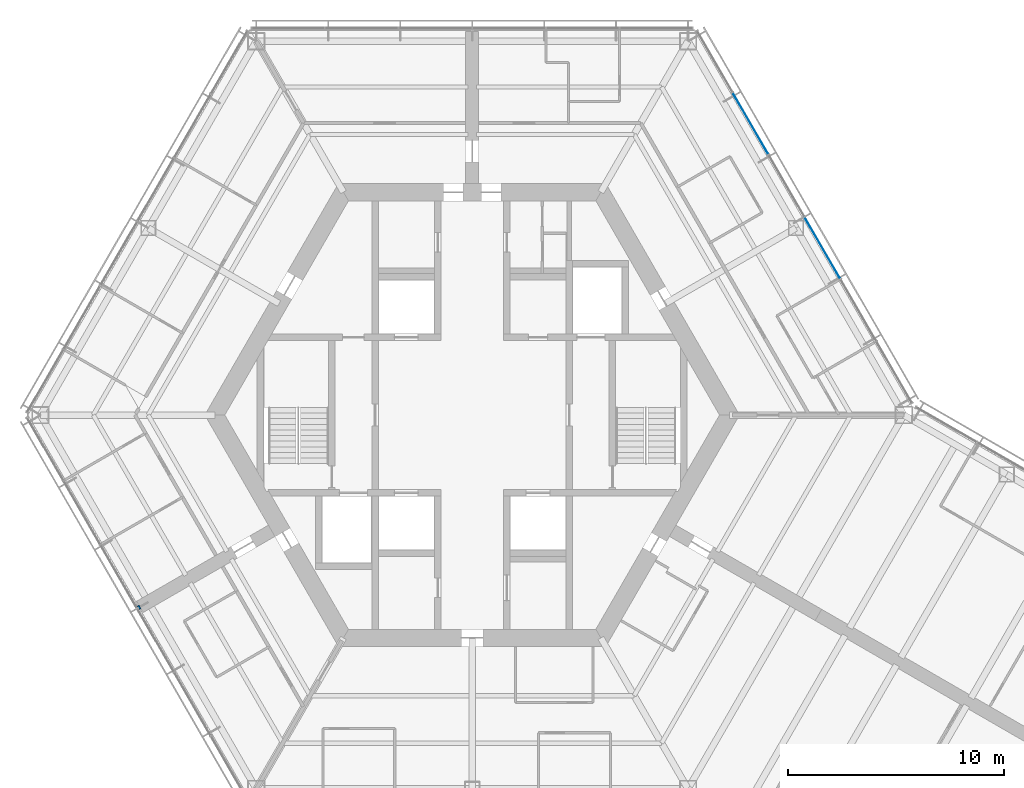
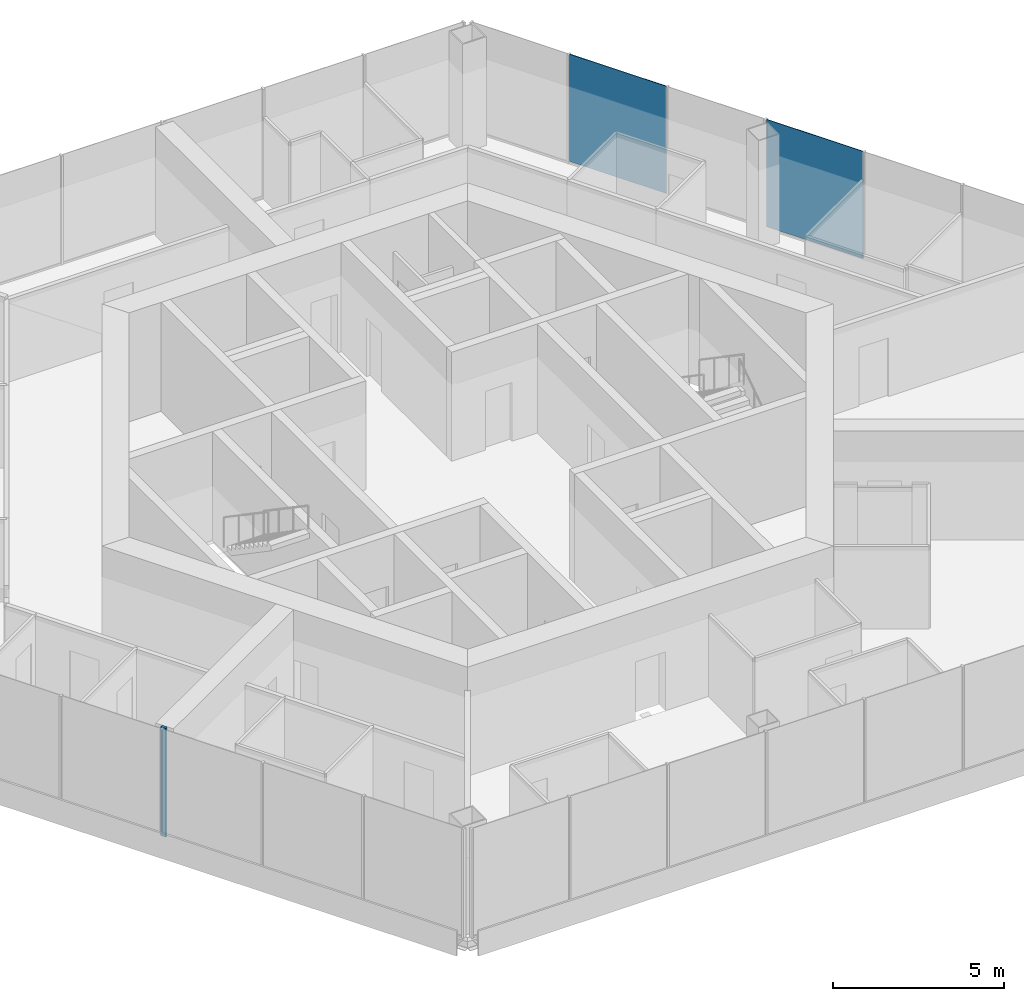
# One storey, part 9 of 17: 2 plates, 1 wall, 1 element without a shape of its own.
"""IFC4 building model written with IfcOpenShell, lengths in metres."""

import ifcopenshell
import ifcopenshell.guid

model = None  # the IFC model being written
_history = None  # IfcOwnerHistory: only IFC2X3 demands one
_inside = {}  # id of a spatial element -> (the spatial element, [elements in it])
_under = {}  # id of a project, library or spatial element -> (it, [spatial elements below it])
_declared = {}  # id of a project -> (the project, [libraries it declares])
_typed = {}  # id of a type object -> (the type object, [elements of that type])
_made_of = {}  # id of a material, layer set ... -> (it, [elements and type objects made of it])


def new_model(schema):
    """Start an empty IFC model of exactly this schema.

    Asked for "IFC4X3", IfcOpenShell would pick the latest addendum, in which some entities
    have other attributes; the version numbers below select the first issue.
    IFC2X3 requires an IfcOwnerHistory on every rooted entity: one is made here for all.
    """
    global model, _history
    if schema == "IFC4X3":
        model = ifcopenshell.file(schema_version=(4, 3, 0, 0))
    else:
        model = ifcopenshell.file(schema=schema)
    _inside.clear()
    _under.clear()
    _declared.clear()
    _typed.clear()
    _made_of.clear()
    _history = None
    if model.schema == "IFC2X3":
        org = make("IfcOrganization", Name="unknown")
        user = make(
            "IfcPersonAndOrganization",
            ThePerson=make("IfcPerson", FamilyName="unknown"),
            TheOrganization=org,
        )
        app = make(
            "IfcApplication",
            ApplicationDeveloper=org,
            Version="unknown",
            ApplicationFullName="unknown",
            ApplicationIdentifier="unknown",
        )
        _history = make(
            "IfcOwnerHistory",
            OwningUser=user,
            OwningApplication=app,
            ChangeAction="ADDED",
            CreationDate=0,
        )
    return model


def make(cls, **values):
    """One entity of the class cls with the attributes given. An attribute that is None is left unset."""
    return model.create_entity(
        cls, **{name: value for name, value in values.items() if value is not None}
    )


def rooted(cls, **values):
    """An entity with a GlobalId (a new one), such as an element, a storey or a relation."""
    return make(cls, GlobalId=ifcopenshell.guid.new(), OwnerHistory=_history, **values)


def si_unit(unit_type, name, prefix=None):
    """IfcSIUnit, for example si_unit("LENGTHUNIT", "METRE", prefix="MILLI")."""
    return make("IfcSIUnit", UnitType=unit_type, Prefix=prefix, Name=name)


def assignment(units):
    """IfcUnitAssignment: the units of a project."""
    return None if units is None else make("IfcUnitAssignment", Units=units)


def point(xyz):
    """IfcCartesianPoint."""
    return None if xyz is None else make("IfcCartesianPoint", Coordinates=xyz)


def direction(xyz):
    """IfcDirection."""
    return None if xyz is None else make("IfcDirection", DirectionRatios=xyz)


def frame(location, z_axis=None, x_axis=None):
    """IfcAxis2Placement3D, a coordinate frame: its origin and axes. An axis left out is left unset."""
    return make(
        "IfcAxis2Placement3D",
        Location=point(location),
        Axis=direction(z_axis),
        RefDirection=direction(x_axis),
    )


def frame_2d(location, x_axis=None):
    """IfcAxis2Placement2D, a coordinate frame in the plane: its origin and x axis."""
    return make(
        "IfcAxis2Placement2D", Location=point(location), RefDirection=direction(x_axis)
    )


def origin():
    """The frame at (0, 0, 0) with its axes left unset."""
    return frame((0.0, 0.0, 0.0))


def origin_2d():
    """The frame at (0, 0) in the plane with its x axis left unset."""
    return frame_2d((0.0, 0.0))


def place(relative_to, where):
    """IfcLocalPlacement: puts the frame where relative to a parent placement (None: the world)."""
    return make(
        "IfcLocalPlacement", PlacementRelTo=relative_to, RelativePlacement=where
    )


def context(
    kind, dimensions, precision=None, world=None, true_north=None, identifier=None
):
    """IfcGeometricRepresentationContext, for example the 3D "Model" context."""
    return make(
        "IfcGeometricRepresentationContext",
        ContextIdentifier=identifier,
        ContextType=kind,
        CoordinateSpaceDimension=dimensions,
        Precision=precision,
        WorldCoordinateSystem=world,
        TrueNorth=true_north,
    )


def subcontext(parent, identifier, kind, view, scale=None):
    """IfcGeometricRepresentationSubContext, for example "Body" below "Model"."""
    return make(
        "IfcGeometricRepresentationSubContext",
        ContextIdentifier=identifier,
        ContextType=kind,
        ParentContext=parent,
        TargetScale=scale,
        TargetView=view,
    )


def project(units=None, contexts=None):
    """IfcProject with its units and contexts."""
    return rooted(
        "IfcProject",
        Name="project",
        RepresentationContexts=contexts,
        UnitsInContext=assignment(units),
    )


def spatial(cls, under=None, at=None, **own):
    """A site, building, storey or space (cls), placed at a placement, below another one or the project."""
    s = rooted(cls, ObjectPlacement=at, **own)
    if under is not None:
        _under.setdefault(under.id(), (under, []))[1].append(s)
    return s


def profile(cls, at=None, kind="AREA", **sizes):
    """A parametric profile (cls). Its sizes go by their IFC names, for example OverallWidth=200.0."""
    return make(cls, ProfileType=kind, Position=at, **sizes)


def rectangle(**sizes):
    """IfcRectangleProfileDef."""
    return profile("IfcRectangleProfileDef", **sizes)


def extrude(swept, where, along, depth):
    """IfcExtrudedAreaSolid: the profile swept, set in the frame where, extruded along a direction by depth."""
    return make(
        "IfcExtrudedAreaSolid",
        SweptArea=swept,
        Position=where,
        ExtrudedDirection=direction(along),
        Depth=depth,
    )


def shape(context_of_items, identifier, shape_type, items):
    """IfcShapeRepresentation: the items that make up one representation, for example the "Body"."""
    return make(
        "IfcShapeRepresentation",
        ContextOfItems=context_of_items,
        RepresentationIdentifier=identifier,
        RepresentationType=shape_type,
        Items=items,
    )


def material(Name=None, Category=None):
    """IfcMaterial."""
    return make("IfcMaterial", Name=Name, Category=Category)


def layer(
    of_material, thickness, ventilated=None, Name=None, Category=None, Priority=None
):
    """IfcMaterialLayer: one layer of a wall or slab, of a material (None: an air gap)."""
    return make(
        "IfcMaterialLayer",
        Material=of_material,
        LayerThickness=thickness,
        IsVentilated=ventilated,
        Name=Name,
        Category=Category,
        Priority=Priority,
    )


def layer_set(layers, Name=None):
    """IfcMaterialLayerSet."""
    return make("IfcMaterialLayerSet", MaterialLayers=layers, LayerSetName=Name)


def made_of(thing, what):
    """Note that an element or type object is made of a material, layer set ...; save() writes the relation."""
    if what is not None:
        _made_of.setdefault(what.id(), (what, []))[1].append(thing)
    return thing


def type_object(cls, material=None, **own):
    """A type object (cls), such as IfcWallType, which elements share."""
    return made_of(rooted(cls, **own), material)


def element(
    cls,
    number,
    at=None,
    inside=None,
    cuts=None,
    type_object=None,
    material=None,
    context=None,
    identifier="Body",
    shape_type=None,
    held_by="IfcProductDefinitionShape",
    body=None,
    shapes=None,
    **own,
):
    """One element of the class cls, such as IfcWall. Its Tag is "e" and its number.

    at: its placement. inside: the storey or other place that contains it. cuts: it is an
    opening in that element (IfcRelVoidsElement). A single representation is given by context,
    identifier, shape_type and body (its items); several are given by shapes. held_by: the class
    of the entity that holds the representations. save() writes the other relations.
    """
    e = rooted(cls, Tag="e%d" % number, ObjectPlacement=at, **own)
    if body is not None:
        shapes = [shape(context, identifier, shape_type, body)]
    if shapes is not None:
        e.Representation = make(held_by, Representations=shapes)
    if inside is not None:
        _inside.setdefault(inside.id(), (inside, []))[1].append(e)
    if cuts is not None:
        rooted(
            "IfcRelVoidsElement", RelatingBuildingElement=cuts, RelatedOpeningElement=e
        )
    if type_object is not None:
        _typed.setdefault(type_object.id(), (type_object, []))[1].append(e)
    return made_of(e, material)


def aggregate(whole, parts):
    """IfcRelAggregates: a whole, such as a stair, and the parts it consists of."""
    return rooted("IfcRelAggregates", RelatingObject=whole, RelatedObjects=parts)


def save(model, path):
    """Write the relations noted so far, then the file.

    IfcRelAggregates (storeys below a building ...), IfcRelContainedInSpatialStructure (elements
    in a storey), IfcRelDefinesByType, IfcRelAssociatesMaterial and IfcRelDeclares: one each for
    every whole, place, type object, material and project.
    """
    for whole, parts in _under.values():
        aggregate(whole, parts)
    for where, things in _inside.values():
        rooted(
            "IfcRelContainedInSpatialStructure",
            RelatedElements=things,
            RelatingStructure=where,
        )
    for kind, things in _typed.values():
        rooted("IfcRelDefinesByType", RelatedObjects=things, RelatingType=kind)
    for what, things in _made_of.values():
        rooted("IfcRelAssociatesMaterial", RelatedObjects=things, RelatingMaterial=what)
    for by, libraries in _declared.values():
        rooted("IfcRelDeclares", RelatingContext=by, RelatedDefinitions=libraries)
    model.write(path)


model = new_model("IFC4")

# Units and contexts
model_context = context("Model", 3, precision=1e-05, world=origin(), true_north=direction((0.0, 1.0)))
body_context = subcontext(model_context, "Body", "Model", "MODEL_VIEW")
ifc_project = project(units=[si_unit("LENGTHUNIT", "METRE"), si_unit("AREAUNIT", "SQUARE_METRE"), si_unit("VOLUMEUNIT", "CUBIC_METRE"), si_unit("PLANEANGLEUNIT", "RADIAN"), si_unit("MASSUNIT", "GRAM", prefix="KILO")], contexts=[model_context])

# Site, building, storey
site_placement = place(None, origin())
site = spatial("IfcSite", under=ifc_project, at=site_placement, CompositionType="ELEMENT")
building_placement = place(site_placement, origin())
building = spatial("IfcBuilding", under=site, at=building_placement, Name="Kasaneha Research Tower", CompositionType="ELEMENT")
storey_placement = place(building_placement, frame((0.0, 0.0, 224.5)))
storey = spatial("IfcBuildingStorey", under=building, at=storey_placement, Name="L56", CompositionType="ELEMENT", Elevation=224.5)

# Curtain wall, plates
ifc_material_1 = material(Name="Glass and aluminium", Category="aluminium")
curtain_wall_type = type_object("IfcCurtainWallType", Name="High-rise office curtain wall", PredefinedType="USERDEFINED", material=ifc_material_1)
curtain_wall_placement = place(storey_placement, origin())
curtain_wall = element("IfcCurtainWall", 1, at=curtain_wall_placement, inside=storey, type_object=curtain_wall_type, Name="CW-O3 L56 run 01a", ObjectType="UNITISED CURTAIN WALL", PredefinedType="USERDEFINED")
ifc_material_2 = material(Name="Laminated double glazing", Category="glass")
ifc_layer_1 = layer(ifc_material_2, 0.02392578125)
ifc_layer_set_1 = layer_set([ifc_layer_1], Name="CW-O3 glazed panel")
plate_type = type_object("IfcPlateType", Name="CW-O3 glazed panel", PredefinedType="CURTAIN_PANEL", material=ifc_layer_set_1)
plate_1_placement = place(storey_placement, frame((16.2255859375, 7.737548828125, 0.06005859375), z_axis=(0.0, 0.0, 1.0), x_axis=(-0.499999979232, 0.866025415775, 0.0)))
plate_1 = element("IfcPlate", 2, at=plate_1_placement, type_object=plate_type, Name="CW-O3 panel 3", PredefinedType="CURTAIN_PANEL", context=body_context, shape_type="SweptSolid", body=[
    extrude(rectangle(XDim=3.27099609375, YDim=0.02392578125, at=origin_2d()), origin(), (0.0, 0.0, 1.0), 3.840087890625),
])
plate_2_placement = place(storey_placement, frame((12.89453125, 13.5068359375, 0.06005859375), z_axis=(0.0, 0.0, 1.0), x_axis=(-0.499999979232, 0.866025415775, 0.0)))
plate_2 = element("IfcPlate", 3, at=plate_2_placement, type_object=plate_type, Name="CW-O3 panel 5", PredefinedType="CURTAIN_PANEL", context=body_context, shape_type="SweptSolid", body=[
    extrude(rectangle(XDim=3.27099609375, YDim=0.02392578125, at=origin_2d()), origin(), (0.0, 0.0, 1.0), 3.840087890625),
])
aggregate(curtain_wall, [plate_1, plate_2])

# Wall
ifc_material_3 = material(Name="Gypsum board on steel studs, two layers each side", Category="steel")
ifc_layer_2 = layer(ifc_material_3, 0.175048828125)
ifc_layer_set_2 = layer_set([ifc_layer_2], Name="Tenancy fire partition 175")
wall_type = type_object("IfcWallType", Name="Tenancy fire partition 175", PredefinedType="PARTITIONING", material=ifc_layer_set_2)
wall_placement = place(storey_placement, frame((-15.3896484375, -8.88525390625, 0.0), z_axis=(0.0, 0.0, 1.0), x_axis=(-0.866472036435, -0.499225610396, 0.0)))
element("IfcWall", 4, at=wall_placement, inside=storey, type_object=wall_type, Name="Spine wall closer SW4-600 L56", PredefinedType="PARTITIONING", context=body_context, shape_type="SweptSolid", body=[
    extrude(rectangle(XDim=0.085205078125, YDim=0.175048828125, at=frame_2d((0.04248046875, 0.0))), origin(), (0.0, 0.0, 1.0), 3.89990234375),
])

save(model, "model.ifc")
